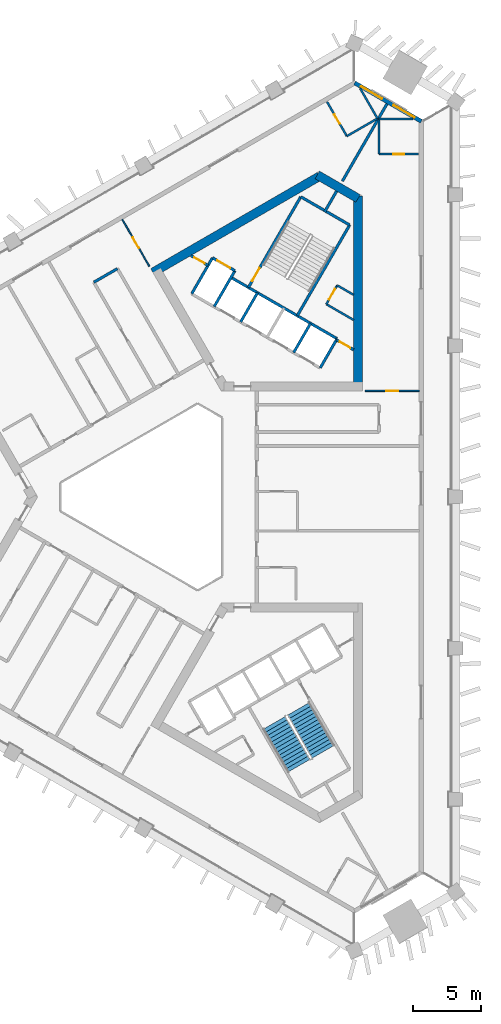
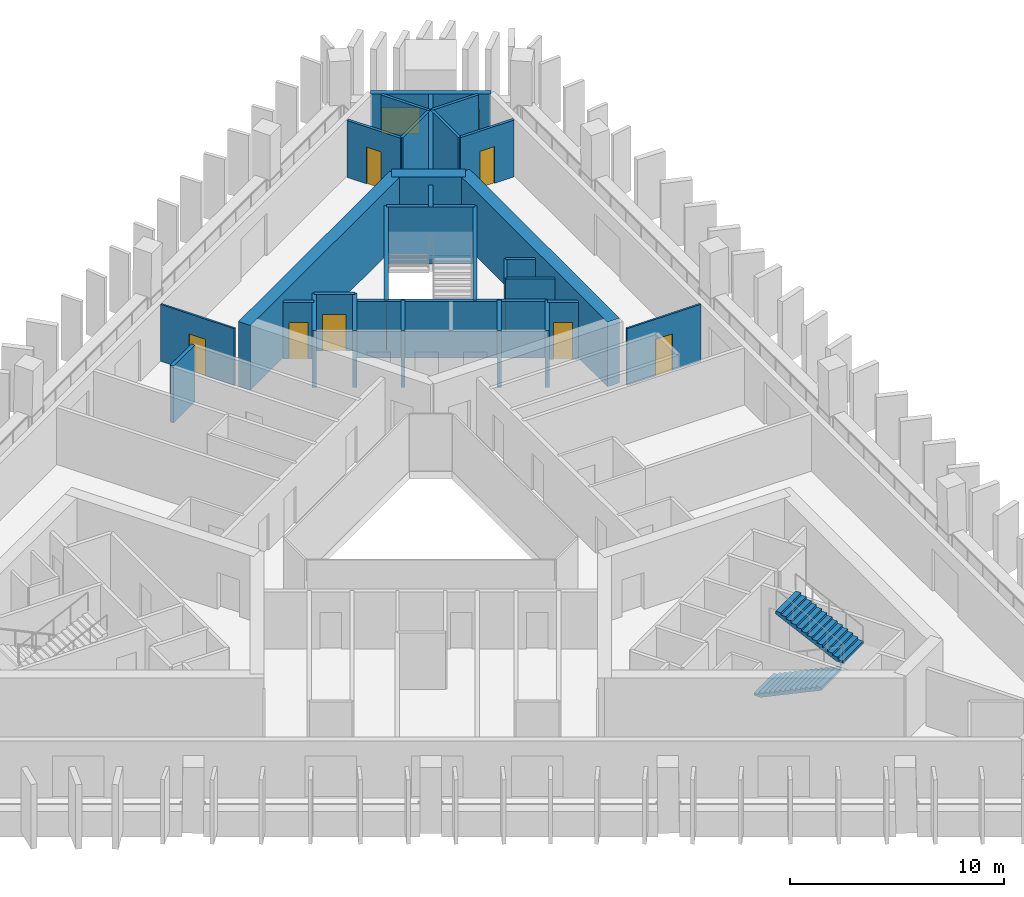
# One storey, part 6 of 11: 30 walls, 9 doors, 2 stair flights, 2 windows, 11 openings, 1 element without a shape of its own.
"""IFC4 building model written with IfcOpenShell, lengths in metres."""

from ifc_helpers import new_model, si_unit, direction, frame, frame_2d, origin, place, context, subcontext, project, spatial, polyline, rectangle, outline, extrude, material, layer, layer_set, type_object, element, fill, aggregate, save


model = new_model("IFC4")

# Units and contexts
model_context = context("Model", 3, precision=1e-05, world=origin(), true_north=direction((0.0, 1.0)))
body_context = subcontext(model_context, "Body", "Model", "MODEL_VIEW")
ifc_project = project(units=[si_unit("LENGTHUNIT", "METRE"), si_unit("AREAUNIT", "SQUARE_METRE"), si_unit("VOLUMEUNIT", "CUBIC_METRE"), si_unit("PLANEANGLEUNIT", "RADIAN"), si_unit("MASSUNIT", "GRAM", prefix="KILO")], contexts=[model_context])

# Site, building, storey
site_placement = place(None, origin())
site = spatial("IfcSite", under=ifc_project, at=site_placement, CompositionType="ELEMENT")
building_placement = place(site_placement, origin())
building = spatial("IfcBuilding", under=site, at=building_placement, Name="Jabali Bay Hotel Tower and Convention Centre", CompositionType="ELEMENT")
storey_placement = place(building_placement, frame((0.0, 0.0, 143.800048828125)))
storey = spatial("IfcBuildingStorey", under=building, at=storey_placement, Name="L35", CompositionType="ELEMENT", Elevation=143.800048828125)

# Wall
ifc_material_1 = material(Name="Concrete C40", Category="concrete")
ifc_layer_1 = layer(ifc_material_1, 0.199951171875)
ifc_layer_set_1 = layer_set([ifc_layer_1], Name="Concrete C40")
wall_type_1 = type_object("IfcWallType", Name="Core partition wall 200", PredefinedType="PARTITIONING", material=ifc_layer_set_1)
wall_1_placement = place(storey_placement, frame((87.090087890625, 100.9404296875, 0.0), z_axis=(0.0, 0.0, 1.0), x_axis=(0.499944938281, 0.866057191349, 0.0)))
element("IfcWall", 1, at=wall_1_placement, inside=storey, type_object=wall_type_1, Name="Core wall 1.5 L35", PredefinedType="PARTITIONING", context=body_context, shape_type="SweptSolid", body=[
    extrude(rectangle(XDim=1.773193359375, YDim=0.199951171875, at=frame_2d((0.88671875, 0.0))), origin(), (0.0, 0.0, 1.0), 3.25),
])

# Wall, opening, door
wall_2_placement = place(storey_placement, frame((89.22998046875, 90.813720703125, 0.0), z_axis=(0.0, 0.0, 1.0), x_axis=(-0.866022048785, 0.500005810984, 0.0)))
wall_2 = element("IfcWall", 2, at=wall_2_placement, inside=storey, type_object=wall_type_1, Name="Core wall 1.11 L35", PredefinedType="PARTITIONING", context=body_context, shape_type="SweptSolid", body=[
    extrude(rectangle(XDim=1.466796875, YDim=0.199951171875, at=frame_2d((0.7333984375, 0.0))), origin(), (0.0, 0.0, 1.0), 3.25),
])
opening_1_placement = place(wall_2_placement, frame((0.283447265625, 0.0, 0.0)))
opening_1 = element("IfcOpeningElement", 3, at=opening_1_placement, cuts=wall_2, Name="Opening D773", PredefinedType="OPENING", context=body_context, shape_type="SweptSolid", body=[
    extrude(rectangle(XDim=0.89990234375, YDim=2.10009765625, at=frame_2d((0.449951171875, 1.050048828125))), frame((0.0, 0.1103515625, 0.0), z_axis=(0.0, -1.0, 0.0), x_axis=(1.0, 0.0, 0.0)), (0.0, 0.0, 1.0), 0.220947265625),
])
ifc_material_2 = material(Name="Fire-rated steel door", Category="steel")
door_type_1 = type_object("IfcDoorType", Name="Vestibule fire door 900 x 2100", OperationType="NOTDEFINED", PredefinedType="NOTDEFINED", material=ifc_material_2)
door_1_placement = place(opening_1_placement, origin())
door_1 = element("IfcDoor", 4, at=door_1_placement, inside=storey, type_object=door_type_1, Name="Vestibule fire door D773", OperationType="SINGLE_SWING_LEFT", OverallHeight=2.10009765625, OverallWidth=0.89990234375, PredefinedType="NOTDEFINED", context=body_context, shape_type="SweptSolid", body=[
    extrude(rectangle(XDim=0.89990234375, YDim=2.10009765625, at=frame_2d((0.449951171875, 1.050048828125))), frame((0.0, 0.02490234375, 0.0), z_axis=(0.0, -1.0, 0.0), x_axis=(1.0, 0.0, 0.0)), (0.0, 0.0, 1.0), 0.050048828125),
])
fill(opening_1, door_1)

wall_3_placement = place(storey_placement, frame((78.5302734375, 97.014404296875, 0.0), z_axis=(0.0, 0.0, 1.0), x_axis=(-0.866045896294, 0.499964504253, 0.0)))
wall_3 = element("IfcWall", 5, at=wall_3_placement, inside=storey, type_object=wall_type_1, Name="Core wall 1.12 L35", PredefinedType="PARTITIONING", context=body_context, shape_type="SweptSolid", body=[
    extrude(rectangle(XDim=1.455078125, YDim=0.199951171875, at=frame_2d((0.7275390625, 0.0))), origin(), (0.0, 0.0, 1.0), 3.25),
])
opening_2_placement = place(wall_3_placement, frame((0.277587890625, 0.0, 0.0)))
opening_2 = element("IfcOpeningElement", 6, at=opening_2_placement, cuts=wall_3, Name="Opening D772", PredefinedType="OPENING", context=body_context, shape_type="SweptSolid", body=[
    extrude(rectangle(XDim=0.89990234375, YDim=2.10009765625, at=frame_2d((0.449951171875, 1.050048828125))), frame((0.0, 0.1103515625, 0.0), z_axis=(0.0, -1.0, 0.0), x_axis=(1.0, 0.0, 0.0)), (0.0, 0.0, 1.0), 0.220947265625),
])
door_2_placement = place(opening_2_placement, origin())
door_2 = element("IfcDoor", 7, at=door_2_placement, inside=storey, type_object=door_type_1, Name="Vestibule fire door D772", OperationType="SINGLE_SWING_LEFT", OverallHeight=2.10009765625, OverallWidth=0.89990234375, PredefinedType="NOTDEFINED", context=body_context, shape_type="SweptSolid", body=[
    extrude(rectangle(XDim=0.89990234375, YDim=2.10009765625, at=frame_2d((0.449951171875, 1.050048828125))), frame((0.0, 0.02490234375, 0.0), z_axis=(0.0, -1.0, 0.0), x_axis=(1.0, 0.0, 0.0)), (0.0, 0.0, 1.0), 0.050048828125),
])
fill(opening_2, door_2)

ifc_material_3 = material(Name="Fire-rated board partition")
ifc_layer_2 = layer(ifc_material_3, 0.14990234375)
ifc_layer_set_2 = layer_set([ifc_layer_2], Name="Fire-rated board partition")
wall_type_2 = type_object("IfcWallType", Name="Core room partition 150", PredefinedType="PARTITIONING", material=ifc_layer_set_2)
wall_4_placement = place(storey_placement, frame((87.22119140625, 94.16748046875, 0.0), z_axis=(0.0, 0.0, 1.0), x_axis=(0.499880961361, 0.866094119867, 0.0)))
wall_4 = element("IfcWall", 8, at=wall_4_placement, inside=storey, type_object=wall_type_2, Name="Core wall 1.1 L35", PredefinedType="PARTITIONING", context=body_context, shape_type="SweptSolid", body=[
    extrude(rectangle(XDim=1.60009765625, YDim=0.14990234375, at=frame_2d((0.800048828125, 0.0))), origin(), (0.0, 0.0, 1.0), 3.25),
])
opening_3_placement = place(wall_4_placement, frame((0.387451171875, 0.0, 0.0)))
opening_3 = element("IfcOpeningElement", 9, at=opening_3_placement, cuts=wall_4, Name="Opening D775", PredefinedType="OPENING", context=body_context, shape_type="SweptSolid", body=[
    extrude(rectangle(XDim=0.89990234375, YDim=2.10009765625, at=frame_2d((0.449951171875, 1.050048828125))), frame((0.0, 0.08544921875, 0.0), z_axis=(0.0, -1.0, 0.0), x_axis=(1.0, 0.0, 0.0)), (0.0, 0.0, 1.0), 0.1708984375),
])
door_type_2 = type_object("IfcDoorType", Name="Core room door 900 x 2100", OperationType="NOTDEFINED", PredefinedType="NOTDEFINED", material=ifc_material_2)
door_3_placement = place(opening_3_placement, origin())
door_3 = element("IfcDoor", 10, at=door_3_placement, inside=storey, type_object=door_type_2, Name="Core room door D775", OperationType="SINGLE_SWING_LEFT", OverallHeight=2.10009765625, OverallWidth=0.89990234375, PredefinedType="NOTDEFINED", context=body_context, shape_type="SweptSolid", body=[
    extrude(rectangle(XDim=0.89990234375, YDim=2.10009765625, at=frame_2d((0.449951171875, 1.050048828125))), frame((0.0, 0.02490234375, 0.0), z_axis=(0.0, -1.0, 0.0), x_axis=(1.0, 0.0, 0.0)), (0.0, 0.0, 1.0), 0.050048828125),
])
fill(opening_3, door_3)

# Walls
wall_5_placement = place(storey_placement, frame((89.22998046875, 93.0078125, 0.0), z_axis=(0.0, 0.0, 1.0), x_axis=(-0.866045366557, 0.49996542187, 0.0)))
element("IfcWall", 11, at=wall_5_placement, inside=storey, type_object=wall_type_2, Name="Core wall 1.15 L35", PredefinedType="PARTITIONING", context=body_context, shape_type="SweptSolid", body=[
    extrude(rectangle(XDim=2.319580078125, YDim=0.14990234375, at=frame_2d((1.15966796875, 0.0))), origin(), (0.0, 0.0, 1.0), 3.25),
])
wall_6_placement = place(storey_placement, frame((89.22998046875, 94.855224609375, 0.0), z_axis=(0.0, 0.0, 1.0), x_axis=(-0.866028321769, 0.499994945868, 0.0)))
element("IfcWall", 12, at=wall_6_placement, inside=storey, type_object=wall_type_2, Name="Core wall 1.16 L35", PredefinedType="PARTITIONING", context=body_context, shape_type="SweptSolid", body=[
    extrude(rectangle(XDim=1.39599609375, YDim=0.14990234375, at=frame_2d((0.697998046875, 0.0))), origin(), (0.0, 0.0, 1.0), 3.25),
])
ifc_layer_3 = layer(ifc_material_1, 0.199951171875)
ifc_layer_set_3 = layer_set([ifc_layer_3], Name="Concrete C40")
wall_type_3 = type_object("IfcWallType", Name="Core stair wall 200", PredefinedType="SOLIDWALL", material=ifc_layer_set_3)
for number, where, z_axis, x_axis, name in (
    (13, (86.769775390625, 89.48583984375, 0.0), (0.0, 0.0, 1.0), (0.499961042966, 0.86604789447, 0.0), "Core wall 1.0 L35"),
    (14, (84.8212890625, 90.61083984375, 0.0), (0.0, 0.0, 1.0), (0.499961042966, 0.86604789447, 0.0), "Core wall 1.2 L35"),
):
    element("IfcWall", number, at=place(storey_placement, frame(where, z_axis=z_axis, x_axis=x_axis)), inside=storey, type_object=wall_type_3, Name=name, PredefinedType="SOLIDWALL", context=body_context, shape_type="SweptSolid", body=[
        extrude(rectangle(XDim=2.480224609375, YDim=0.199951171875, at=frame_2d((1.240234375, 0.0))), origin(), (0.0, 0.0, 1.0), 3.25),
    ])
wall_7_placement = place(storey_placement, frame((85.0869140625, 93.3212890625, 0.0), z_axis=(0.0, 0.0, 1.0), x_axis=(0.500019787375, 0.866013979237, 0.0)))
element("IfcWall", 15, at=wall_7_placement, inside=storey, type_object=wall_type_3, Name="Core wall 1.3 L35", PredefinedType="SOLIDWALL", context=body_context, shape_type="SweptSolid", body=[
    extrude(rectangle(XDim=7.699951171875, YDim=0.199951171875, at=frame_2d((3.85009765625, 0.0))), origin(), (0.0, 0.0, 1.0), 3.25),
])
wall_8_placement = place(storey_placement, frame((80.924072265625, 92.86083984375, 0.0), z_axis=(0.0, 0.0, 1.0), x_axis=(0.499961042966, 0.86604789447, 0.0)))
element("IfcWall", 16, at=wall_8_placement, inside=storey, type_object=wall_type_3, Name="Core wall 1.6 L35", PredefinedType="SOLIDWALL", context=body_context, shape_type="SweptSolid", body=[
    extrude(rectangle(XDim=2.480224609375, YDim=0.199951171875, at=frame_2d((1.240234375, 0.0))), origin(), (0.0, 0.0, 1.0), 3.25),
])

# Wall, opening, door
wall_9_placement = place(storey_placement, frame((81.492919921875, 95.396240234375, 0.0), z_axis=(0.0, 0.0, 1.0), x_axis=(0.500006057782, 0.866021906294, 0.0)))
wall_9 = element("IfcWall", 17, at=wall_9_placement, inside=storey, type_object=wall_type_3, Name="Core wall 1.7 L35", PredefinedType="SOLIDWALL", context=body_context, shape_type="SweptSolid", body=[
    extrude(rectangle(XDim=7.7001953125, YDim=0.199951171875, at=frame_2d((3.85009765625, 0.0))), origin(), (0.0, 0.0, 1.0), 3.25),
])
opening_4_placement = place(wall_9_placement, frame((0.550048828125, 0.0, 0.0)))
opening_4 = element("IfcOpeningElement", 18, at=opening_4_placement, cuts=wall_9, Name="Opening D774", PredefinedType="OPENING", context=body_context, shape_type="SweptSolid", body=[
    extrude(rectangle(XDim=1.10009765625, YDim=2.10009765625, at=frame_2d((0.550048828125, 1.050048828125))), frame((0.0, 0.1103515625, 0.0), z_axis=(0.0, -1.0, 0.0), x_axis=(1.0, 0.0, 0.0)), (0.0, 0.0, 1.0), 0.220947265625),
])
door_type_3 = type_object("IfcDoorType", Name="Stair fire door 1100 x 2100", OperationType="NOTDEFINED", PredefinedType="NOTDEFINED", material=ifc_material_2)
door_4_placement = place(opening_4_placement, origin())
door_4 = element("IfcDoor", 19, at=door_4_placement, inside=storey, type_object=door_type_3, Name="Stair fire door D774", OperationType="SINGLE_SWING_RIGHT", OverallHeight=2.10009765625, OverallWidth=1.10009765625, PredefinedType="NOTDEFINED", context=body_context, shape_type="SweptSolid", body=[
    extrude(rectangle(XDim=1.10009765625, YDim=2.10009765625, at=frame_2d((0.550048828125, 1.050048828125))), frame((0.0, 0.02490234375, 0.0), z_axis=(0.0, -1.0, 0.0), x_axis=(1.0, 0.0, 0.0)), (0.0, 0.0, 1.0), 0.050048828125),
])
fill(opening_4, door_4)

# Walls
for number, where, z_axis, x_axis, name in (
    (20, (78.9755859375, 93.98583984375, 0.0), (0.0, 0.0, 1.0), (0.499944174705, 0.866057632134, 0.0), "Core wall 1.8 L35"),
    (21, (77.330078125, 94.93603515625, 0.0), (0.0, 0.0, 1.0), (0.500038867431, 0.8660029625, 0.0), "Core wall 1.9 L35"),
):
    element("IfcWall", number, at=place(storey_placement, frame(where, z_axis=z_axis, x_axis=x_axis)), inside=storey, type_object=wall_type_3, Name=name, PredefinedType="SOLIDWALL", context=body_context, shape_type="SweptSolid", body=[
        extrude(rectangle(XDim=3.050048828125, YDim=0.199951171875, at=frame_2d((1.52490234375, 0.0))), origin(), (0.0, 0.0, 1.0), 3.25),
    ])
wall_10_placement = place(storey_placement, frame((88.009765625, 91.6337890625, 0.0), z_axis=(0.0, 0.0, 1.0), x_axis=(-0.866024315419, 0.5000018851, 0.0)))
element("IfcWall", 22, at=wall_10_placement, inside=storey, type_object=wall_type_3, Name="Core wall 1.13 L35", PredefinedType="SOLIDWALL", context=body_context, shape_type="SweptSolid", body=[
    extrude(rectangle(XDim=9.0, YDim=0.199951171875, at=frame_2d((4.5, 0.0))), origin(), (0.0, 0.0, 1.0), 3.25),
])

# Wall, opening, door
wall_11_placement = place(storey_placement, frame((80.50048828125, 96.62744140625, 0.0), z_axis=(0.0, 0.0, 1.0), x_axis=(-0.86601224135, 0.500022797313, 0.0)))
wall_11 = element("IfcWall", 23, at=wall_11_placement, inside=storey, type_object=wall_type_3, Name="Core wall 1.14 L35", PredefinedType="SOLIDWALL", context=body_context, shape_type="SweptSolid", body=[
    extrude(rectangle(XDim=1.89990234375, YDim=0.199951171875, at=frame_2d((0.949951171875, 0.0))), origin(), (0.0, 0.0, 1.0), 3.25),
])
opening_5_placement = place(wall_11_placement, frame((0.39990234375, 0.0, 0.0)))
opening_5 = element("IfcOpeningElement", 24, at=opening_5_placement, cuts=wall_11, Name="Opening LD10-L35", PredefinedType="OPENING", context=body_context, shape_type="SweptSolid", body=[
    extrude(rectangle(XDim=1.10009765625, YDim=2.10009765625, at=frame_2d((0.550048828125, 1.050048828125))), frame((0.0, 0.1103515625, 0.0), z_axis=(0.0, -1.0, 0.0), x_axis=(1.0, 0.0, 0.0)), (0.0, 0.0, 1.0), 0.220947265625),
])
ifc_material_4 = material(Name="Stainless steel landing door", Category="steel")
door_type_4 = type_object("IfcDoorType", Name="Landing door 1100 x 2100", OperationType="NOTDEFINED", PredefinedType="NOTDEFINED", material=ifc_material_4)
door_5_placement = place(opening_5_placement, origin())
door_5 = element("IfcDoor", 25, at=door_5_placement, inside=storey, type_object=door_type_4, Name="Landing doors LD10-L35", OperationType="SLIDING_TO_RIGHT", OverallHeight=2.10009765625, OverallWidth=1.10009765625, PredefinedType="NOTDEFINED", context=body_context, shape_type="SweptSolid", body=[
    extrude(rectangle(XDim=1.10009765625, YDim=2.10009765625, at=frame_2d((0.550048828125, 1.050048828125))), frame((0.0, 0.02490234375, 0.0), z_axis=(0.0, -1.0, 0.0), x_axis=(1.0, 0.0, 0.0)), (0.0, 0.0, 1.0), 0.050048828125),
])
fill(opening_5, door_5)

# Walls
wall_12_placement = place(storey_placement, frame((88.93701171875, 99.989501953125, 0.0), z_axis=(0.0, 0.0, 1.0), x_axis=(-0.866004344652, 0.500036473714, 0.0)))
element("IfcWall", 26, at=wall_12_placement, inside=storey, type_object=wall_type_3, Name="Core wall 1.17 L35", PredefinedType="SOLIDWALL", context=body_context, shape_type="SweptSolid", body=[
    extrude(rectangle(XDim=4.150146484375, YDim=0.199951171875, at=frame_2d((2.0751953125, 0.0))), origin(), (0.0, 0.0, 1.0), 3.25),
])
ifc_material_5 = material(Name="Concrete C60", Category="concrete")
ifc_layer_4 = layer(ifc_material_5, 0.64990234375)
ifc_layer_set_4 = layer_set([ifc_layer_4], Name="Concrete C60")
wall_type_4 = type_object("IfcWallType", Name="Core wall 650", PredefinedType="SHEAR", material=ifc_layer_set_4)
wall_13_placement = place(storey_placement, frame((89.554931640625, 88.119140625, 0.0), z_axis=(0.0, 0.0, 1.0), x_axis=(0.0, 1.0, 0.0)))
element("IfcWall", 27, at=wall_13_placement, inside=storey, type_object=wall_type_4, Name="Core wall 2.2 L35", PredefinedType="SHEAR", context=body_context, shape_type="SweptSolid", body=[
    extrude(rectangle(XDim=14.008544921875, YDim=0.64990234375, at=frame_2d((7.00439453125, 0.0))), origin(), (0.0, 0.0, 1.0), 3.699951171875),
])
wall_14_placement = place(storey_placement, frame((89.554931640625, 101.93994140625, 0.0), z_axis=(0.0, 0.0, 1.0), x_axis=(-0.866031550877, 0.499989352773, 0.0)))
element("IfcWall", 28, at=wall_14_placement, inside=storey, type_object=wall_type_4, Name="Core wall 2.3 L35", PredefinedType="SHEAR", context=body_context, shape_type="SweptSolid", body=[
    extrude(rectangle(XDim=3.45751953125, YDim=0.64990234375, at=frame_2d((1.728759765625, 0.0))), origin(), (0.0, 0.0, 1.0), 3.699951171875),
])
wall_15_placement = place(storey_placement, frame((86.72314453125, 103.574951171875, 0.0), z_axis=(0.0, 0.0, 1.0), x_axis=(-0.866031824457, -0.499988878904, 0.0)))
element("IfcWall", 29, at=wall_15_placement, inside=storey, type_object=wall_type_4, Name="Core wall 2.4 L35", PredefinedType="SHEAR", context=body_context, shape_type="SweptSolid", body=[
    extrude(rectangle(XDim=14.145751953125, YDim=0.64990234375, at=frame_2d((7.07275390625, 0.0))), origin(), (0.0, 0.0, 1.0), 3.699951171875),
])

# Wall, openings, windows
ifc_layer_5 = layer(ifc_material_1, 0.300048828125)
ifc_layer_set_5 = layer_set([ifc_layer_5], Name="Concrete C40")
wall_type_5 = type_object("IfcWallType", Name="External wall 300", PredefinedType="SOLIDWALL", material=ifc_layer_set_5)
wall_16_placement = place(storey_placement, frame((89.3095703125, 110.434814453125, 0.0), z_axis=(0.0, 0.0, 1.0), x_axis=(0.866019355129, -0.500010476433, 0.0)))
wall_16 = element("IfcWall", 30, at=wall_16_placement, inside=storey, type_object=wall_type_5, Name="External wall north-east chamfer L35", PredefinedType="SOLIDWALL", context=body_context, shape_type="SweptSolid", body=[
    extrude(rectangle(XDim=5.64990234375, YDim=0.300048828125, at=frame_2d((2.824951171875, 0.0))), origin(), (0.0, 0.0, 1.0), 3.25),
])
opening_6_placement = place(wall_16_placement, frame((3.28369140625, 0.0, 0.89990234375)))
opening_6 = element("IfcOpeningElement", 31, at=opening_6_placement, cuts=wall_16, Name="Opening W1", PredefinedType="OPENING", context=body_context, shape_type="SweptSolid", body=[
    extrude(rectangle(XDim=1.800048828125, YDim=1.5, at=frame_2d((0.89990234375, 0.75))), frame((0.0, 0.16064453125, 0.0), z_axis=(0.0, -1.0, 0.0), x_axis=(1.0, 0.0, 0.0)), (0.0, 0.0, 1.0), 0.321044921875),
])
opening_7_placement = place(wall_16_placement, frame((0.524169921875, 0.0, 0.89990234375)))
opening_7 = element("IfcOpeningElement", 32, at=opening_7_placement, cuts=wall_16, Name="Opening W1", PredefinedType="OPENING", context=body_context, shape_type="SweptSolid", body=[
    extrude(rectangle(XDim=1.800048828125, YDim=1.5, at=frame_2d((0.89990234375, 0.75))), frame((0.0, 0.16064453125, 0.0), z_axis=(0.0, -1.0, 0.0), x_axis=(1.0, 0.0, 0.0)), (0.0, 0.0, 1.0), 0.321044921875),
])
ifc_material_6 = material(Name="Glass", Category="glass")
window_type = type_object("IfcWindowType", Name="Window 1800 x 1500", PartitioningType="SINGLE_PANEL", PredefinedType="WINDOW", material=ifc_material_6)
window_1_placement = place(opening_6_placement, origin())
window_1 = element("IfcWindow", 33, at=window_1_placement, inside=storey, type_object=window_type, Name="Window 3503", OverallHeight=1.5, OverallWidth=1.800048828125, PartitioningType="SINGLE_PANEL", PredefinedType="WINDOW", context=body_context, shape_type="SweptSolid", body=[
    extrude(rectangle(XDim=1.800048828125, YDim=1.5, at=frame_2d((0.89990234375, 0.75))), frame((0.0, 0.030029296875, 0.0), z_axis=(0.0, -1.0, 0.0), x_axis=(1.0, 0.0, 0.0)), (0.0, 0.0, 1.0), 0.06005859375),
])
fill(opening_6, window_1)
window_2_placement = place(opening_7_placement, origin())
window_2 = element("IfcWindow", 34, at=window_2_placement, inside=storey, type_object=window_type, Name="Window 3505", OverallHeight=1.5, OverallWidth=1.800048828125, PartitioningType="SINGLE_PANEL", PredefinedType="WINDOW", context=body_context, shape_type="SweptSolid", body=[
    extrude(rectangle(XDim=1.800048828125, YDim=1.5, at=frame_2d((0.89990234375, 0.75))), frame((0.0, 0.030029296875, 0.0), z_axis=(0.0, -1.0, 0.0), x_axis=(1.0, 0.0, 0.0)), (0.0, 0.0, 1.0), 0.06005859375),
])
fill(opening_7, window_2)

# Wall, opening, door
ifc_material_7 = material(Name="Plasterboard on steel stud", Category="steel")
ifc_layer_6 = layer(ifc_material_7, 0.10009765625)
ifc_layer_set_6 = layer_set([ifc_layer_6], Name="Plasterboard on steel stud")
wall_type_6 = type_object("IfcWallType", Name="Partition 100 unit", PredefinedType="PARTITIONING", material=ifc_layer_set_6)
wall_17_placement = place(storey_placement, frame((94.053466796875, 87.794189453125, 0.0), z_axis=(0.0, 0.0, 1.0), x_axis=(-1.0, 0.0, 0.0)))
wall_17 = element("IfcWall", 35, at=wall_17_placement, inside=storey, type_object=wall_type_6, Name="Partition P02 L35 009", PredefinedType="PARTITIONING", context=body_context, shape_type="SweptSolid", body=[
    extrude(rectangle(XDim=3.974365234375, YDim=0.10009765625, at=frame_2d((1.9873046875, 0.0))), origin(), (0.0, 0.0, 1.0), 3.25),
])
opening_8_placement = place(wall_17_placement, frame((1.537109375, 0.0, 0.0)))
opening_8 = element("IfcOpeningElement", 36, at=opening_8_placement, cuts=wall_17, Name="Opening 3506", PredefinedType="OPENING", context=body_context, shape_type="SweptSolid", body=[
    extrude(rectangle(XDim=0.89990234375, YDim=2.10009765625, at=frame_2d((0.449951171875, 1.050048828125))), frame((0.0, 0.060546875, 0.0), z_axis=(0.0, -1.0, 0.0), x_axis=(1.0, 0.0, 0.0)), (0.0, 0.0, 1.0), 0.12109375),
])
ifc_material_8 = material(Name="Timber", Category="wood")
door_type_5 = type_object("IfcDoorType", Name="Internal door 900 x 2100", OperationType="NOTDEFINED", PredefinedType="NOTDEFINED", material=ifc_material_8)
door_6_placement = place(opening_8_placement, origin())
door_6 = element("IfcDoor", 37, at=door_6_placement, inside=storey, type_object=door_type_5, Name="Door 3506", OperationType="SINGLE_SWING_LEFT", OverallHeight=2.10009765625, OverallWidth=0.89990234375, PredefinedType="NOTDEFINED", context=body_context, shape_type="SweptSolid", body=[
    extrude(rectangle(XDim=0.89990234375, YDim=2.10009765625, at=frame_2d((0.449951171875, 1.050048828125))), frame((0.0, 0.02490234375, 0.0), z_axis=(0.0, -1.0, 0.0), x_axis=(1.0, 0.0, 0.0)), (0.0, 0.0, 1.0), 0.050048828125),
])
fill(opening_8, door_6)

wall_18_placement = place(storey_placement, frame((74.21044921875, 96.955810546875, 0.0), z_axis=(0.0, 0.0, 1.0), x_axis=(-0.499997169302, 0.866027038082, 0.0)))
wall_18 = element("IfcWall", 38, at=wall_18_placement, inside=storey, type_object=wall_type_6, Name="Partition P02 L35 017", PredefinedType="PARTITIONING", context=body_context, shape_type="SweptSolid", body=[
    extrude(rectangle(XDim=3.974609375, YDim=0.10009765625, at=frame_2d((1.9873046875, 0.0))), origin(), (0.0, 0.0, 1.0), 3.25),
])
opening_9_placement = place(wall_18_placement, frame((1.537109375, 0.0, 0.0)))
opening_9 = element("IfcOpeningElement", 39, at=opening_9_placement, cuts=wall_18, Name="Opening 3510", PredefinedType="OPENING", context=body_context, shape_type="SweptSolid", body=[
    extrude(rectangle(XDim=0.89990234375, YDim=2.10009765625, at=frame_2d((0.449951171875, 1.050048828125))), frame((0.0, 0.060546875, 0.0), z_axis=(0.0, -1.0, 0.0), x_axis=(1.0, 0.0, 0.0)), (0.0, 0.0, 1.0), 0.12109375),
])
door_7_placement = place(opening_9_placement, origin())
door_7 = element("IfcDoor", 40, at=door_7_placement, inside=storey, type_object=door_type_5, Name="Door 3510", OperationType="SINGLE_SWING_LEFT", OverallHeight=2.10009765625, OverallWidth=0.89990234375, PredefinedType="NOTDEFINED", context=body_context, shape_type="SweptSolid", body=[
    extrude(rectangle(XDim=0.89990234375, YDim=2.10009765625, at=frame_2d((0.449951171875, 1.050048828125))), frame((0.0, 0.02490234375, 0.0), z_axis=(0.0, -1.0, 0.0), x_axis=(1.0, 0.0, 0.0)), (0.0, 0.0, 1.0), 0.050048828125),
])
fill(opening_9, door_7)

ifc_layer_7 = layer(ifc_material_7, 0.14990234375)
ifc_layer_set_7 = layer_set([ifc_layer_7], Name="Plasterboard on steel stud")
wall_type_7 = type_object("IfcWallType", Name="Partition 150 wet", PredefinedType="PARTITIONING", material=ifc_layer_set_7)
wall_19_placement = place(storey_placement, frame((94.00146484375, 105.1943359375, 0.0), z_axis=(0.0, 0.0, 1.0), x_axis=(-1.0, 0.0, 0.0)))
wall_19 = element("IfcWall", 41, at=wall_19_placement, inside=storey, type_object=wall_type_7, Name="Partition P03 L35 013", PredefinedType="PARTITIONING", context=body_context, shape_type="SweptSolid", body=[
    extrude(rectangle(XDim=2.89990234375, YDim=0.14990234375, at=frame_2d((1.449951171875, 0.0))), origin(), (0.0, 0.0, 1.0), 3.25),
])
opening_10_placement = place(wall_19_placement, frame((1.050048828125, 0.0, 0.0)))
opening_10 = element("IfcOpeningElement", 42, at=opening_10_placement, cuts=wall_19, Name="Opening 3507", PredefinedType="OPENING", context=body_context, shape_type="SweptSolid", body=[
    extrude(rectangle(XDim=0.800048828125, YDim=2.10009765625, at=frame_2d((0.39990234375, 1.050048828125))), frame((0.0, 0.08544921875, 0.0), z_axis=(0.0, -1.0, 0.0), x_axis=(1.0, 0.0, 0.0)), (0.0, 0.0, 1.0), 0.1708984375),
])
door_type_6 = type_object("IfcDoorType", Name="En-suite door 800 x 2100", OperationType="NOTDEFINED", PredefinedType="NOTDEFINED", material=ifc_material_8)
door_8_placement = place(opening_10_placement, origin())
door_8 = element("IfcDoor", 43, at=door_8_placement, inside=storey, type_object=door_type_6, Name="Door 3507", OperationType="SINGLE_SWING_LEFT", OverallHeight=2.10009765625, OverallWidth=0.800048828125, PredefinedType="NOTDEFINED", context=body_context, shape_type="SweptSolid", body=[
    extrude(rectangle(XDim=0.800048828125, YDim=2.10009765625, at=frame_2d((0.39990234375, 1.050048828125))), frame((0.0, 0.02490234375, 0.0), z_axis=(0.0, -1.0, 0.0), x_axis=(1.0, 0.0, 0.0)), (0.0, 0.0, 1.0), 0.050048828125),
])
fill(opening_10, door_8)

# Walls
wall_20_placement = place(storey_placement, frame((91.1015625, 105.1943359375, 0.0), z_axis=(0.0, 0.0, 1.0), x_axis=(0.0, 1.0, 0.0)))
element("IfcWall", 44, at=wall_20_placement, inside=storey, type_object=wall_type_7, Name="Partition P03 L35 014", PredefinedType="PARTITIONING", context=body_context, shape_type="SweptSolid", body=[
    extrude(rectangle(XDim=2.599853515625, YDim=0.14990234375, at=frame_2d((1.2998046875, 0.0))), origin(), (0.0, 0.0, 1.0), 3.25),
])
wall_21_placement = place(storey_placement, frame((91.1015625, 107.794189453125, 0.0), z_axis=(0.0, 0.0, 1.0), x_axis=(1.0, 0.0, 0.0)))
element("IfcWall", 45, at=wall_21_placement, inside=storey, type_object=wall_type_7, Name="Partition P03 L35 015", PredefinedType="PARTITIONING", context=body_context, shape_type="SweptSolid", body=[
    extrude(rectangle(XDim=2.4833984375, YDim=0.14990234375, at=frame_2d((1.24169921875, 0.0))), origin(), (0.0, 0.0, 1.0), 3.25),
])
wall_22_placement = place(storey_placement, frame((89.705078125, 110.034423828125, 0.0), z_axis=(0.0, 0.0, 1.0), x_axis=(0.500042097992, -0.866001097133, 0.0)))
element("IfcWall", 46, at=wall_22_placement, inside=storey, type_object=wall_type_7, Name="Partition P03 L35 022", PredefinedType="PARTITIONING", context=body_context, shape_type="SweptSolid", body=[
    extrude(rectangle(XDim=2.556396484375, YDim=0.14990234375, at=frame_2d((1.2783203125, 0.0))), origin(), (0.0, 0.0, 1.0), 3.25),
])
wall_23_placement = place(storey_placement, frame((90.9833984375, 107.820556640625, 0.0), z_axis=(0.0, 0.0, 1.0), x_axis=(-0.866021400173, -0.500006934395, 0.0)))
element("IfcWall", 47, at=wall_23_placement, inside=storey, type_object=wall_type_7, Name="Partition P03 L35 023", PredefinedType="PARTITIONING", context=body_context, shape_type="SweptSolid", body=[
    extrude(rectangle(XDim=2.60009765625, YDim=0.14990234375, at=frame_2d((1.300048828125, 0.0))), origin(), (0.0, 0.0, 1.0), 3.25),
])

# Wall, opening, door
wall_24_placement = place(storey_placement, frame((88.731689453125, 106.5205078125, 0.0), z_axis=(0.0, 0.0, 1.0), x_axis=(-0.499987231761, 0.866032775405, 0.0)))
wall_24 = element("IfcWall", 48, at=wall_24_placement, inside=storey, type_object=wall_type_7, Name="Partition P03 L35 024", PredefinedType="PARTITIONING", context=body_context, shape_type="SweptSolid", body=[
    extrude(rectangle(XDim=2.89990234375, YDim=0.14990234375, at=frame_2d((1.449951171875, 0.0))), origin(), (0.0, 0.0, 1.0), 3.25),
])
opening_11_placement = place(wall_24_placement, frame((1.050048828125, 0.0, 0.0)))
opening_11 = element("IfcOpeningElement", 49, at=opening_11_placement, cuts=wall_24, Name="Opening 3511", PredefinedType="OPENING", context=body_context, shape_type="SweptSolid", body=[
    extrude(rectangle(XDim=0.800048828125, YDim=2.10009765625, at=frame_2d((0.39990234375, 1.050048828125))), frame((0.0, 0.08544921875, 0.0), z_axis=(0.0, -1.0, 0.0), x_axis=(1.0, 0.0, 0.0)), (0.0, 0.0, 1.0), 0.1708984375),
])
door_9_placement = place(opening_11_placement, origin())
door_9 = element("IfcDoor", 50, at=door_9_placement, inside=storey, type_object=door_type_6, Name="Door 3511", OperationType="SINGLE_SWING_RIGHT", OverallHeight=2.10009765625, OverallWidth=0.800048828125, PredefinedType="NOTDEFINED", context=body_context, shape_type="SweptSolid", body=[
    extrude(rectangle(XDim=0.800048828125, YDim=2.10009765625, at=frame_2d((0.39990234375, 1.050048828125))), frame((0.0, 0.02490234375, 0.0), z_axis=(0.0, -1.0, 0.0), x_axis=(1.0, 0.0, 0.0)), (0.0, 0.0, 1.0), 0.050048828125),
])
fill(opening_11, door_9)

# Walls
ifc_layer_8 = layer(ifc_material_7, 0.199951171875)
ifc_layer_set_8 = layer_set([ifc_layer_8], Name="Plasterboard on steel stud")
wall_type_8 = type_object("IfcWallType", Name="Partition 200 party", PredefinedType="PARTITIONING", material=ifc_layer_set_8)
wall_25_placement = place(storey_placement, frame((91.681640625, 108.893310546875, 0.0), z_axis=(0.0, 0.0, 1.0), x_axis=(-0.499993018469, -0.866029434536, 0.0)))
element("IfcWall", 51, at=wall_25_placement, inside=storey, type_object=wall_type_8, Name="Partition P01 L35 016", PredefinedType="PARTITIONING", context=body_context, shape_type="SweptSolid", body=[
    extrude(rectangle(XDim=6.56103515625, YDim=0.199951171875, at=frame_2d((3.280517578125, 0.0))), origin(), (0.0, 0.0, 1.0), 3.25),
])
wall_26_placement = place(storey_placement, frame((70.134033203125, 95.78125, 0.0), z_axis=(0.0, 0.0, 1.0), x_axis=(0.866010750942, 0.50002537861, 0.0)))
element("IfcWall", 52, at=wall_26_placement, inside=storey, type_object=wall_type_8, Name="Partition P01 L35 019", PredefinedType="PARTITIONING", context=body_context, shape_type="SweptSolid", body=[
    extrude(rectangle(XDim=2.0, YDim=0.199951171875, at=frame_2d((1.0, 0.0))), origin(), (0.0, 0.0, 1.0), 3.25),
])

# Stair, stair flights
stair_type = type_object("IfcStairType", Name="Exit stair 1900", PredefinedType="HALF_TURN_STAIR", material=ifc_material_1)
stair_placement = place(storey_placement, origin())
stair = element("IfcStair", 53, at=stair_placement, inside=storey, type_object=stair_type, Name="L35 Exit Stair 3", PredefinedType="HALF_TURN_STAIR")
stair_flight_type = type_object("IfcStairFlightType", Name="Stair flight concrete 150", PredefinedType="STRAIGHT", material=ifc_material_1)
stair_flight_1_placement = place(storey_placement, frame((83.40234375, 63.396728515625, 0.0), z_axis=(0.0, 0.0, 1.0), x_axis=(0.5, -0.866025403784, 0.0)))
stair_flight_1 = element("IfcStairFlight", 54, at=stair_flight_1_placement, type_object=stair_flight_type, Name="ST3 flight 1", NumberOfRisers=14, NumberOfTreads=13, PredefinedType="STRAIGHT", RiserHeight=0.132142857, TreadLength=0.28, context=body_context, shape_type="SweptSolid", body=[
    extrude(outline(polyline([(0.0, 0.0), (0.0, 0.132080078125), (0.280029296875, 0.132080078125), (0.280029296875, 0.264404296875), (0.56005859375, 0.264404296875), (0.56005859375, 0.396484375), (0.840087890625, 0.396484375), (0.840087890625, 0.528564453125), (1.1201171875, 0.528564453125), (1.1201171875, 0.66064453125), (1.39990234375, 0.66064453125), (1.39990234375, 0.79296875), (1.679931640625, 0.79296875), (1.679931640625, 0.925048828125), (1.9599609375, 0.925048828125), (1.9599609375, 1.05712890625), (2.239990234375, 1.05712890625), (2.239990234375, 1.189208984375), (2.52001953125, 1.189208984375), (2.52001953125, 1.321533203125), (2.800048828125, 1.321533203125), (2.800048828125, 1.45361328125), (3.080078125, 1.45361328125), (3.080078125, 1.585693359375), (3.360107421875, 1.585693359375), (3.360107421875, 1.7177734375), (3.639892578125, 1.7177734375), (3.639892578125, 1.85009765625), (3.639892578125, 1.552001953125), (0.351318359375, 0.0), (0.0, 0.0)])), frame((0.0, 0.949951171875, 0.0), z_axis=(0.0, -1.0, 0.0), x_axis=(1.0, 0.0, 0.0)), (0.0, 0.0, 1.0), 1.89990234375),
])
stair_flight_2_placement = place(storey_placement, frame((86.99755859375, 61.26953125, 1.849853515625), z_axis=(0.0, 0.0, 1.0), x_axis=(-0.5, 0.866025403784, 0.0)))
stair_flight_2 = element("IfcStairFlight", 55, at=stair_flight_2_placement, type_object=stair_flight_type, Name="ST3 flight 2", NumberOfRisers=14, NumberOfTreads=13, PredefinedType="STRAIGHT", RiserHeight=0.132142857, TreadLength=0.28, context=body_context, shape_type="SweptSolid", body=[
    extrude(outline(polyline([(0.0, 0.0), (0.0, 0.132080078125), (0.280029296875, 0.132080078125), (0.280029296875, 0.264404296875), (0.56005859375, 0.264404296875), (0.56005859375, 0.396484375), (0.840087890625, 0.396484375), (0.840087890625, 0.528564453125), (1.1201171875, 0.528564453125), (1.1201171875, 0.66064453125), (1.39990234375, 0.66064453125), (1.39990234375, 0.79296875), (1.679931640625, 0.79296875), (1.679931640625, 0.925048828125), (1.9599609375, 0.925048828125), (1.9599609375, 1.05712890625), (2.239990234375, 1.05712890625), (2.239990234375, 1.189208984375), (2.52001953125, 1.189208984375), (2.52001953125, 1.321533203125), (2.800048828125, 1.321533203125), (2.800048828125, 1.45361328125), (3.080078125, 1.45361328125), (3.080078125, 1.585693359375), (3.360107421875, 1.585693359375), (3.360107421875, 1.7177734375), (3.639892578125, 1.7177734375), (3.639892578125, 1.85009765625), (3.639892578125, 1.552001953125), (0.351318359375, 0.0), (0.0, 0.0)])), frame((0.0, 0.949951171875, 0.0), z_axis=(0.0, -1.0, 0.0), x_axis=(1.0, 0.0, 0.0)), (0.0, 0.0, 1.0), 1.89990234375),
])
aggregate(stair, [stair_flight_1, stair_flight_2])

save(model, "model.ifc")
